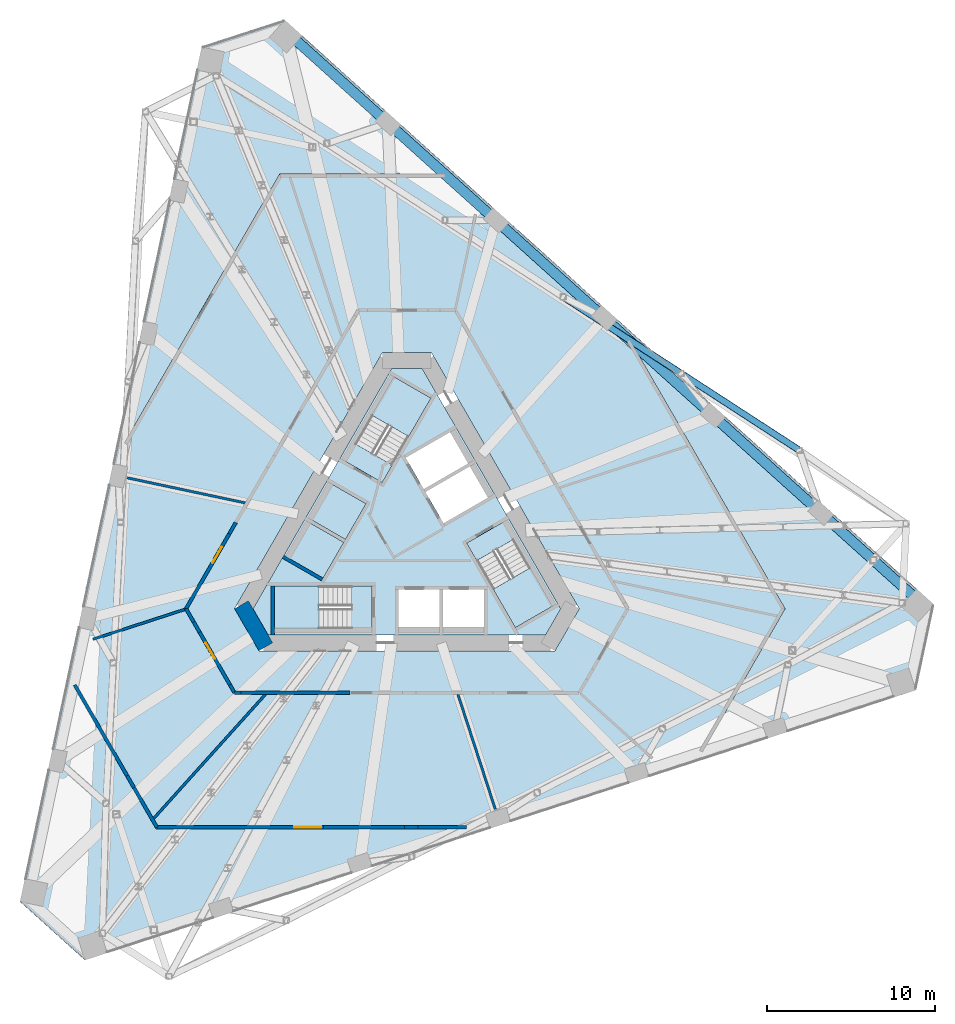
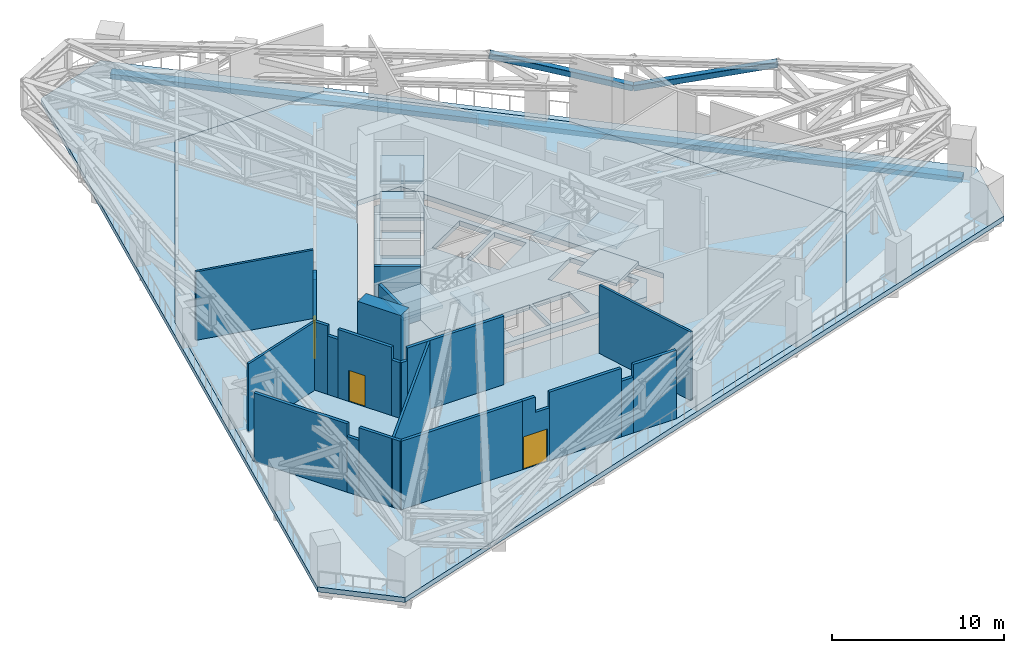
# One storey, part 14 of 24: 23 walls, 14 slabs, 3 doors, 2 members, 1 beam, 3 openings, 3 elements without a shape of their own.
"""IFC4 building model written with IfcOpenShell, lengths in metres."""

from ifc_helpers import new_model, si_unit, direction, frame, frame_2d, origin, origin_2d, place, context, subcontext, project, spatial, polyline, rectangle, hollow_rectangle, outline, extrude, material, layer, layer_set, material_profile, profile_set, type_object, element, fill, aggregate, save


model = new_model("IFC4")

# Units and contexts
model_context = context("Model", 3, precision=1e-05, world=origin(), true_north=direction((0.0, 1.0)))
body_context = subcontext(model_context, "Body", "Model", "MODEL_VIEW")
ifc_project = project(units=[si_unit("LENGTHUNIT", "METRE"), si_unit("AREAUNIT", "SQUARE_METRE"), si_unit("VOLUMEUNIT", "CUBIC_METRE"), si_unit("PLANEANGLEUNIT", "RADIAN"), si_unit("MASSUNIT", "GRAM", prefix="KILO")], contexts=[model_context])

# Site, building, storey
site_placement = place(None, origin())
site = spatial("IfcSite", under=ifc_project, at=site_placement, CompositionType="ELEMENT")
building_placement = place(site_placement, origin())
building = spatial("IfcBuilding", under=site, at=building_placement, Name="Tramontana Tower", CompositionType="ELEMENT")
storey_placement = place(building_placement, frame((0.0, 0.0, 120.39990234375)))
storey = spatial("IfcBuildingStorey", under=building, at=storey_placement, Name="L27", CompositionType="ELEMENT", Elevation=120.39990234375)

# Members
ifc_material_1 = material(Name="Steel ASTM A500 Grade C", Category="steel")
ifc_material_profile_1 = material_profile(ifc_material_1, hollow_rectangle(XDim=0.406494140625, YDim=0.406494140625, WallThickness=0.0146484375, InnerFilletRadius=0.0146484375, OuterFilletRadius=0.029541015625, at=origin_2d()), Name="HSS16X16X5/8")
ifc_profile_set_1 = profile_set([ifc_material_profile_1], Name="Steel ASTM A500 Grade C")
member_type = type_object("IfcMemberType", Name="Belt truss HSS16X16X5/8 brace", PredefinedType="BRACE", material=ifc_profile_set_1)
for number, where, z_axis, x_axis, name in (
    (1, (23.328125, 5.180419921875, 4.618408203125), (-0.816018137798, 0.529909545983, -0.230890172726), (-0.544625423515, -0.8386794072, 0.0), "Belt truss diagonal S2.2"),
    (2, (16.30712890625, 9.73974609375, 2.6318359375), (-0.816005867799, 0.529929952953, 0.230886700963), (-0.54464593603, -0.838666086333, 0.0), "Belt truss diagonal S2.3"),
):
    element("IfcMember", number, at=place(storey_placement, frame(where, z_axis=z_axis, x_axis=x_axis)), inside=storey, type_object=member_type, Name=name, PredefinedType="BRACE", context=body_context, shape_type="SweptSolid", body=[
        extrude(hollow_rectangle(XDim=0.406494140625, YDim=0.406494140625, WallThickness=0.0146484375, InnerFilletRadius=0.0146484375, OuterFilletRadius=0.029541015625, at=origin_2d()), origin(), (0.0, 0.0, 1.0), 8.60400390625),
    ])

# Beam
ifc_material_2 = material(Name="Concrete 40 MPa", Category="concrete")
ifc_material_profile_2 = material_profile(ifc_material_2, rectangle(XDim=0.60009765625, YDim=0.35009765625, at=origin_2d()), Name="RC EDGE BEAM 600X350 40 MPa")
ifc_profile_set_2 = profile_set([ifc_material_profile_2], Name="Concrete 40 MPa")
beam_type = type_object("IfcBeamType", Name="RC EDGE BEAM 600X350 40 MPa", PredefinedType="SPANDREL", material=ifc_profile_set_2)
beam_placement = place(storey_placement, frame((30.530517578125, -3.873779296875, -0.52490234375), z_axis=(-0.743146468863, 0.66912878119, 0.0), x_axis=(-0.66912878119, -0.743146468863, 0.0)))
element("IfcBeam", 3, at=beam_placement, inside=storey, type_object=beam_type, Name="Spandrel beam S2 L27", PredefinedType="SPANDREL", context=body_context, shape_type="SweptSolid", body=[
    extrude(rectangle(XDim=0.60009765625, YDim=0.35009765625, at=origin_2d()), origin(), (0.0, 0.0, 1.0), 50.561279296875),
])

# Slabs
ifc_material_3 = material(Name="Concrete 70 MPa", Category="concrete")
ifc_layer_1 = layer(ifc_material_3, 0.35009765625)
ifc_layer_set_1 = layer_set([ifc_layer_1], Name="LIFT PIT FLOOR 350")
slab_type_1 = type_object("IfcSlabType", Name="LIFT PIT FLOOR 350", PredefinedType="USERDEFINED", material=ifc_layer_set_1)
slab_1_placement = place(storey_placement, frame((0.0, 0.0, 3.25)))
element("IfcSlab", 4, at=slab_1_placement, inside=storey, type_object=slab_type_1, Name="Lift pit floor P1", ObjectType="LIFT PIT FLOOR", PredefinedType="USERDEFINED", context=body_context, shape_type="SweptSolid", body=[
    extrude(outline(polyline([(-2.4296875, 1.99169921875), (-4.46484375, 3.166748046875), (-5.68994140625, 1.044921875), (-3.65478515625, -0.130126953125), (-2.4296875, 1.99169921875)])), origin(), (0.0, 0.0, 1.0), 0.35009765625),
])
slab_2_placement = place(storey_placement, frame((0.0, 0.0, 3.25)))
element("IfcSlab", 5, at=slab_2_placement, inside=storey, type_object=slab_type_1, Name="Lift pit floor P2", ObjectType="LIFT PIT FLOOR", PredefinedType="USERDEFINED", context=body_context, shape_type="SweptSolid", body=[
    extrude(outline(polyline([(-3.754638671875, -0.30322265625), (-5.789794921875, 0.871826171875), (-7.014892578125, -1.25), (-4.979736328125, -2.425048828125), (-3.754638671875, -0.30322265625)])), origin(), (0.0, 0.0, 1.0), 0.35009765625),
])
ifc_material_4 = material(Name="Concrete 40 MPa", Category="concrete")
ifc_layer_2 = layer(ifc_material_4, 0.35009765625)
ifc_layer_set_2 = layer_set([ifc_layer_2], Name="PT FLAT SLAB 350 40 MPa")
slab_type_2 = type_object("IfcSlabType", Name="PT FLAT SLAB 350 40 MPa", PredefinedType="FLOOR", material=ifc_layer_set_2)
slab_3_placement = place(storey_placement, frame((0.0, 0.0, -0.349853515625)))
element("IfcSlab", 6, at=slab_3_placement, inside=storey, type_object=slab_type_2, Name="Floor slab L27", PredefinedType="FLOOR", context=body_context, shape_type="SweptSolid", body=[
    extrude(outline(polyline([(-14.924560546875, -17.35009765625), (-14.924560546875, -17.35009765625), (-14.924560546875, -17.35009765625), (-19.41455078125, -9.572998046875), (-19.84375, -8.82958984375), (-19.84814453125, -8.82080078125), (-19.851806640625, -8.811767578125), (-19.8544921875, -8.802490234375), (-19.856201171875, -8.792724609375), (-19.857177734375, -8.782958984375), (-19.85693359375, -8.773193359375), (-19.855712890625, -8.763427734375), (-16.806884765625, 5.5810546875), (-16.80419921875, 5.59033203125), (-16.800537109375, 5.599609375), (-16.796142578125, 5.6083984375), (-15.833251953125, 7.276123046875), (-7.59228515625, 21.550048828125), (-7.563232421875, 21.60009765625), (-7.563232421875, 21.60009765625), (-7.563232421875, 21.60009765625), (2.275146484375, 21.60009765625), (2.284912109375, 21.599609375), (2.294677734375, 21.59814453125), (2.30419921875, 21.595703125), (2.3134765625, 21.59228515625), (2.322265625, 21.588134765625), (2.330810546875, 21.5830078125), (2.338623046875, 21.577392578125), (13.23681640625, 11.7646484375), (13.243408203125, 11.7578125), (13.24951171875, 11.75), (13.2548828125, 11.74169921875), (14.218017578125, 10.073974609375), (16.8310546875, 5.547607421875), (22.458984375, -4.199951171875), (22.48779296875, -4.25), (22.17578125, -4.790283203125), (17.568603515625, -12.7705078125), (17.563232421875, -12.778564453125), (17.55712890625, -12.786376953125), (17.55029296875, -12.793212890625), (17.542724609375, -12.7998046875), (17.534912109375, -12.805419921875), (17.526123046875, -12.81005859375), (17.51708984375, -12.81396484375), (3.5703125, -17.345703125), (3.560791015625, -17.34814453125), (3.551025390625, -17.349609375), (3.541015625, -17.35009765625), (-4.96044921875, -17.35009765625), (-14.924560546875, -17.35009765625)]), holes=[polyline([(-8.8046875, -6.75), (8.8046875, -6.75), (10.248046875, -4.25), (1.443359375, 11.0), (-1.443359375, 11.0), (-10.248046875, -4.25), (-8.8046875, -6.75)])]), origin(), (0.0, 0.0, 1.0), 0.349853515625),
])
slab_4_placement = place(storey_placement, frame((0.0, 0.0, -0.349853515625)))
element("IfcSlab", 7, at=slab_4_placement, inside=storey, type_object=slab_type_2, Name="Terrace slab L27", PredefinedType="FLOOR", context=body_context, shape_type="SweptSolid", body=[
    extrude(outline(polyline([(-19.14697265625, -25.1474609375), (-23.00830078125, -21.670654296875), (-12.205078125, 29.155517578125), (-7.26318359375, 30.760986328125), (31.351806640625, -4.0078125), (30.271484375, -9.090576171875), (-19.14697265625, -25.1474609375)]), holes=[polyline([(3.541015625, -17.35009765625), (3.551025390625, -17.349609375), (3.560791015625, -17.34814453125), (3.5703125, -17.345703125), (17.51708984375, -12.81396484375), (17.526123046875, -12.81005859375), (17.534912109375, -12.805419921875), (17.542724609375, -12.7998046875), (17.55029296875, -12.793212890625), (17.55712890625, -12.786376953125), (17.563232421875, -12.778564453125), (17.568603515625, -12.7705078125), (22.17578125, -4.790283203125), (22.48779296875, -4.25), (22.458984375, -4.199951171875), (16.8310546875, 5.547607421875), (14.218017578125, 10.073974609375), (13.2548828125, 11.74169921875), (13.24951171875, 11.75), (13.243408203125, 11.7578125), (13.23681640625, 11.7646484375), (2.338623046875, 21.577392578125), (2.330810546875, 21.5830078125), (2.322265625, 21.588134765625), (2.3134765625, 21.59228515625), (2.30419921875, 21.595703125), (2.294677734375, 21.59814453125), (2.284912109375, 21.599609375), (2.275146484375, 21.60009765625), (-7.563232421875, 21.60009765625), (-7.563232421875, 21.60009765625), (-7.563232421875, 21.60009765625), (-7.59228515625, 21.550048828125), (-15.833251953125, 7.276123046875), (-16.796142578125, 5.6083984375), (-16.800537109375, 5.599609375), (-16.80419921875, 5.59033203125), (-16.806884765625, 5.5810546875), (-19.855712890625, -8.763427734375), (-19.85693359375, -8.773193359375), (-19.857177734375, -8.782958984375), (-19.856201171875, -8.792724609375), (-19.8544921875, -8.802490234375), (-19.851806640625, -8.811767578125), (-19.84814453125, -8.82080078125), (-19.84375, -8.82958984375), (-19.41455078125, -9.572998046875), (-14.924560546875, -17.35009765625), (-14.924560546875, -17.35009765625), (-14.924560546875, -17.35009765625), (-4.96044921875, -17.35009765625), (3.541015625, -17.35009765625)])]), origin(), (0.0, 0.0, 1.0), 0.349853515625),
])
slab_5_placement = place(storey_placement, frame((0.0, 0.0, -0.349853515625)))
element("IfcSlab", 8, at=slab_5_placement, inside=storey, type_object=slab_type_2, Name="Core floor slab L27", PredefinedType="FLOOR", context=body_context, shape_type="SweptSolid", body=[
    extrude(outline(polyline([(9.15087890625, -4.25), (8.256103515625, -5.800048828125), (-8.256103515625, -5.800048828125), (-9.15087890625, -4.25), (-0.89501953125, 10.050048828125), (0.89501953125, 10.050048828125), (9.15087890625, -4.25)]), holes=[polyline([(8.659912109375, -4.099365234375), (6.35986328125, -0.115478515625), (4.151611328125, -1.390625), (6.451416015625, -5.374267578125), (8.659912109375, -4.099365234375)]), polyline([(3.829833984375, 4.2666015625), (1.101806640625, 2.69140625), (2.177001953125, 0.82958984375), (4.90478515625, 2.404541015625), (3.829833984375, 4.2666015625)]), polyline([(4.590087890625, -3.10009765625), (2.139892578125, -3.10009765625), (2.139892578125, -5.449951171875), (4.590087890625, -5.449951171875), (4.590087890625, -3.10009765625)]), polyline([(2.65478515625, 6.3017578125), (-0.072998046875, 4.726806640625), (1.001953125, 2.86474609375), (3.729736328125, 4.439697265625), (2.65478515625, 6.3017578125)]), polyline([(1.93994140625, -5.449951171875), (1.93994140625, -3.10009765625), (-0.510009765625, -3.10009765625), (-0.510009765625, -5.449951171875), (1.93994140625, -5.449951171875)]), polyline([(-0.77978515625, 9.54931640625), (-3.079833984375, 5.565673828125), (-0.87158203125, 4.29052734375), (1.428466796875, 8.2744140625), (-0.77978515625, 9.54931640625)]), polyline([(-7.8798828125, -5.449951171875), (-3.280029296875, -5.449951171875), (-3.280029296875, -2.89990234375), (-7.8798828125, -2.89990234375), (-7.8798828125, -5.449951171875)])]), origin(), (0.0, 0.0, 1.0), 0.349853515625),
])

# Stair, slabs
ifc_material_5 = material(Name="Concrete 40 MPa", Category="concrete")
stair_type = type_object("IfcStairType", Name="EXIT STAIR 32 RISERS", PredefinedType="HALF_TURN_STAIR", material=ifc_material_5)
stair_1_placement = place(storey_placement, origin())
stair_1 = element("IfcStair", 9, at=stair_1_placement, inside=storey, type_object=stair_type, Name="L27 Exit stair ST1", PredefinedType="HALF_TURN_STAIR")
ifc_material_6 = material(Name="Concrete 40 MPa", Category="concrete")
ifc_layer_3 = layer(ifc_material_6, 0.199951171875)
ifc_layer_set_3 = layer_set([ifc_layer_3], Name="STAIR LANDING 200")
slab_type_3 = type_object("IfcSlabType", Name="STAIR LANDING 200", PredefinedType="LANDING", material=ifc_layer_set_3)
slab_6_placement = place(storey_placement, frame((0.0, 0.0, 1.10009765625)))
slab_6 = element("IfcSlab", 10, at=slab_6_placement, type_object=slab_type_3, Name="ST1 landing 1", PredefinedType="LANDING", context=body_context, shape_type="SweptSolid", body=[
    extrude(outline(polyline([(0.108642578125, 5.988037109375), (1.428466796875, 8.274169921875), (-0.77978515625, 9.54931640625), (-2.099853515625, 7.262939453125), (0.108642578125, 5.988037109375)])), origin(), (0.0, 0.0, 1.0), 0.199951171875),
])
slab_7_placement = place(storey_placement, frame((0.0, 0.0, 2.400146484375)))
slab_7 = element("IfcSlab", 11, at=slab_7_placement, type_object=slab_type_3, Name="ST1 landing 2", PredefinedType="LANDING", context=body_context, shape_type="SweptSolid", body=[
    extrude(outline(polyline([(-1.471435546875, 3.251220703125), (-0.87158203125, 4.29052734375), (-3.079833984375, 5.565673828125), (-3.679931640625, 4.5263671875), (-1.471435546875, 3.251220703125)])), origin(), (0.0, 0.0, 1.0), 0.199951171875),
])
slab_8_placement = place(storey_placement, frame((0.0, 0.0, 3.7001953125)))
slab_8 = element("IfcSlab", 12, at=slab_8_placement, type_object=slab_type_3, Name="ST1 landing 3", PredefinedType="LANDING", context=body_context, shape_type="SweptSolid", body=[
    extrude(outline(polyline([(0.108642578125, 5.988037109375), (1.428466796875, 8.274169921875), (-0.77978515625, 9.54931640625), (-2.099853515625, 7.262939453125), (0.108642578125, 5.988037109375)])), origin(), (0.0, 0.0, 1.0), 0.199951171875),
])
aggregate(stair_1, [slab_6, slab_7, slab_8])

stair_2_placement = place(storey_placement, origin())
stair_2 = element("IfcStair", 13, at=stair_2_placement, inside=storey, type_object=stair_type, Name="L27 Exit stair ST2", PredefinedType="HALF_TURN_STAIR")
slab_9_placement = place(storey_placement, frame((0.0, 0.0, 1.10009765625)))
slab_9 = element("IfcSlab", 14, at=slab_9_placement, type_object=slab_type_3, Name="ST2 landing 1", PredefinedType="LANDING", context=body_context, shape_type="SweptSolid", body=[
    extrude(outline(polyline([(-5.239990234375, -2.89990234375), (-7.8798828125, -2.89990234375), (-7.8798828125, -5.449951171875), (-5.239990234375, -5.449951171875), (-5.239990234375, -2.89990234375)])), origin(), (0.0, 0.0, 1.0), 0.199951171875),
])
slab_10_placement = place(storey_placement, frame((0.0, 0.0, 2.400146484375)))
slab_10 = element("IfcSlab", 15, at=slab_10_placement, type_object=slab_type_3, Name="ST2 landing 2", PredefinedType="LANDING", context=body_context, shape_type="SweptSolid", body=[
    extrude(outline(polyline([(-2.080078125, -2.89990234375), (-3.280029296875, -2.89990234375), (-3.280029296875, -5.449951171875), (-2.080078125, -5.449951171875), (-2.080078125, -2.89990234375)])), origin(), (0.0, 0.0, 1.0), 0.199951171875),
])
slab_11_placement = place(storey_placement, frame((0.0, 0.0, 3.7001953125)))
slab_11 = element("IfcSlab", 16, at=slab_11_placement, type_object=slab_type_3, Name="ST2 landing 3", PredefinedType="LANDING", context=body_context, shape_type="SweptSolid", body=[
    extrude(outline(polyline([(-5.239990234375, -2.89990234375), (-7.8798828125, -2.89990234375), (-7.8798828125, -5.449951171875), (-5.239990234375, -5.449951171875), (-5.239990234375, -2.89990234375)])), origin(), (0.0, 0.0, 1.0), 0.199951171875),
])
aggregate(stair_2, [slab_9, slab_10, slab_11])

stair_3_placement = place(storey_placement, origin())
stair_3 = element("IfcStair", 17, at=stair_3_placement, inside=storey, type_object=stair_type, Name="L27 Exit stair ST3", PredefinedType="HALF_TURN_STAIR")
slab_12_placement = place(storey_placement, frame((0.0, 0.0, 1.10009765625)))
slab_12 = element("IfcSlab", 18, at=slab_12_placement, type_object=slab_type_3, Name="ST3 landing 1", PredefinedType="LANDING", context=body_context, shape_type="SweptSolid", body=[
    extrude(outline(polyline([(5.131591796875, -3.087890625), (6.451416015625, -5.374267578125), (8.659912109375, -4.099365234375), (7.33984375, -1.81298828125), (5.131591796875, -3.087890625)])), origin(), (0.0, 0.0, 1.0), 0.199951171875),
])
slab_13_placement = place(storey_placement, frame((0.0, 0.0, 2.400146484375)))
slab_13 = element("IfcSlab", 19, at=slab_13_placement, type_object=slab_type_3, Name="ST3 landing 2", PredefinedType="LANDING", context=body_context, shape_type="SweptSolid", body=[
    extrude(outline(polyline([(3.551513671875, -0.351318359375), (4.1513671875, -1.390625), (6.35986328125, -0.115478515625), (5.759765625, 0.923583984375), (3.551513671875, -0.351318359375)])), origin(), (0.0, 0.0, 1.0), 0.199951171875),
])
slab_14_placement = place(storey_placement, frame((0.0, 0.0, 3.7001953125)))
slab_14 = element("IfcSlab", 20, at=slab_14_placement, type_object=slab_type_3, Name="ST3 landing 3", PredefinedType="LANDING", context=body_context, shape_type="SweptSolid", body=[
    extrude(outline(polyline([(5.131591796875, -3.087890625), (6.451416015625, -5.374267578125), (8.659912109375, -4.099365234375), (7.33984375, -1.81298828125), (5.131591796875, -3.087890625)])), origin(), (0.0, 0.0, 1.0), 0.199951171875),
])
aggregate(stair_3, [slab_12, slab_13, slab_14])

# Walls
ifc_material_7 = material(Name="Concrete 70 MPa", Category="concrete")
ifc_layer_4 = layer(ifc_material_7, 0.949951171875)
ifc_layer_set_4 = layer_set([ifc_layer_4], Name="Core wall 950 70 MPa")
wall_type_1 = type_object("IfcWallType", Name="Core wall 950 70 MPa", PredefinedType="SHEAR", material=ifc_layer_set_4)
wall_1_placement = place(storey_placement, frame((-9.836669921875, -4.012451171875, 0.0), z_axis=(0.0, 0.0, 1.0), x_axis=(0.499995765644, -0.866027848477, 0.0)))
element("IfcWall", 21, at=wall_1_placement, inside=storey, type_object=wall_type_1, Name="Core wall C2 L27", PredefinedType="SHEAR", context=body_context, shape_type="SweptSolid", body=[
    extrude(rectangle(XDim=2.88671875, YDim=0.949951171875, at=frame_2d((1.443359375, 0.0))), origin(), (0.0, 0.0, 1.0), 5.2001953125),
])
ifc_material_8 = material(Name="Blockwork", Category="masonry")
ifc_layer_5 = layer(ifc_material_8, 0.199951171875)
ifc_layer_set_5 = layer_set([ifc_layer_5], Name="ENCLOSURE WALL 200")
wall_type_2 = type_object("IfcWallType", Name="ENCLOSURE WALL 200", PredefinedType="SOLIDWALL", material=ifc_layer_set_5)
wall_2_placement = place(storey_placement, frame((3.541259765625, -17.25, 0.0), z_axis=(0.0, 0.0, 1.0), x_axis=(-1.0, 0.0, 0.0)))
element("IfcWall", 22, at=wall_2_placement, inside=storey, type_object=wall_type_2, Name="Wall enc2-0", PredefinedType="SOLIDWALL", context=body_context, shape_type="SweptSolid", body=[
    extrude(rectangle(XDim=2.8857421875, YDim=0.199951171875, at=frame_2d((1.44287109375, 0.0))), origin(), (0.0, 0.0, 1.0), 4.85009765625),
])
wall_3_placement = place(storey_placement, frame((0.655517578125, -17.25, 0.0), z_axis=(0.0, 0.0, 1.0), x_axis=(-1.0, 0.0, 0.0)))
element("IfcWall", 23, at=wall_3_placement, inside=storey, type_object=wall_type_2, Name="Wall enc2-1", PredefinedType="SOLIDWALL", context=body_context, shape_type="SweptSolid", body=[
    extrude(rectangle(XDim=0.800048828125, YDim=0.199951171875, at=frame_2d((0.39990234375, 0.0))), origin(), (0.0, 0.0, 1.0), 3.9501953125),
])
wall_4_placement = place(storey_placement, frame((-0.14453125, -17.25, 0.0), z_axis=(0.0, 0.0, 1.0), x_axis=(-1.0, 0.0, 0.0)))
element("IfcWall", 24, at=wall_4_placement, inside=storey, type_object=wall_type_2, Name="Wall enc2-2", PredefinedType="SOLIDWALL", context=body_context, shape_type="SweptSolid", body=[
    extrude(rectangle(XDim=4.81591796875, YDim=0.199951171875, at=frame_2d((2.407958984375, 0.0))), origin(), (0.0, 0.0, 1.0), 4.85009765625),
])

# Wall, opening, door
wall_5_placement = place(storey_placement, frame((-4.96044921875, -17.25, 0.0), z_axis=(0.0, 0.0, 1.0), x_axis=(-1.0, 0.0, 0.0)))
wall_5 = element("IfcWall", 25, at=wall_5_placement, inside=storey, type_object=wall_type_2, Name="Wall enc2-3", PredefinedType="SOLIDWALL", context=body_context, shape_type="SweptSolid", body=[
    extrude(outline(polyline([(0.0, 0.0), (1.795166015625, 0.0), (1.795166015625, 4.85009765625), (0.943603515625, 4.85009765625), (0.943603515625, 3.75), (0.0, 3.75), (0.0, 0.0)])), frame((0.0, 0.10009765625, 0.0), z_axis=(0.0, -1.0, 0.0), x_axis=(1.0, 0.0, 0.0)), (0.0, 0.0, 1.0), 0.199951171875),
])
opening_1_placement = place(wall_5_placement, frame((0.14501953125, 0.0, 0.0)))
opening_1 = element("IfcOpeningElement", 26, at=opening_1_placement, cuts=wall_5, Name="Opening L27-11", PredefinedType="OPENING", context=body_context, shape_type="SweptSolid", body=[
    extrude(rectangle(XDim=1.60009765625, YDim=2.300048828125, at=frame_2d((0.800048828125, 1.14990234375))), frame((0.0, 0.10986328125, 0.0), z_axis=(0.0, -1.0, 0.0), x_axis=(1.0, 0.0, 0.0)), (0.0, 0.0, 1.0), 0.219970703125),
])
ifc_material_9 = material(Name="Painted timber", Category="wood")
door_type_1 = type_object("IfcDoorType", Name="DOOR WIDE 1600", OperationType="SINGLE_SWING_LEFT", PredefinedType="DOOR", material=ifc_material_9)
door_1_placement = place(opening_1_placement, origin())
door_1 = element("IfcDoor", 27, at=door_1_placement, inside=storey, type_object=door_type_1, Name="Door L27-11", OperationType="DOUBLE_DOOR_SINGLE_SWING", OverallHeight=2.300048828125, OverallWidth=1.60009765625, PredefinedType="DOOR", context=body_context, shape_type="SweptSolid", body=[
    extrude(rectangle(XDim=1.60009765625, YDim=2.300048828125, at=frame_2d((0.800048828125, 1.14990234375))), frame((0.0, 0.02490234375, 0.0), z_axis=(0.0, -1.0, 0.0), x_axis=(1.0, 0.0, 0.0)), (0.0, 0.0, 1.0), 0.050048828125),
])
fill(opening_1, door_1)

# Walls
wall_6_placement = place(storey_placement, frame((-6.755615234375, -17.25, 0.0), z_axis=(0.0, 0.0, 1.0), x_axis=(-1.0, 0.0, 0.0)))
element("IfcWall", 28, at=wall_6_placement, inside=storey, type_object=wall_type_2, Name="Wall enc2-4", PredefinedType="SOLIDWALL", context=body_context, shape_type="SweptSolid", body=[
    extrude(rectangle(XDim=8.111083984375, YDim=0.199951171875, at=frame_2d((4.0556640625, 0.0))), origin(), (0.0, 0.0, 1.0), 4.85009765625),
])
wall_7_placement = place(storey_placement, frame((-14.86669921875, -17.25, 0.0), z_axis=(0.0, 0.0, 1.0), x_axis=(-0.500042275419, 0.866000994684, 0.0)))
element("IfcWall", 29, at=wall_7_placement, inside=storey, type_object=wall_type_2, Name="Wall enc3-0", PredefinedType="SOLIDWALL", context=body_context, shape_type="SweptSolid", body=[
    extrude(rectangle(XDim=2.731201171875, YDim=0.199951171875, at=frame_2d((1.36572265625, 0.0))), origin(), (0.0, 0.0, 1.0), 4.85009765625),
])
wall_8_placement = place(storey_placement, frame((-16.232421875, -14.884765625, 0.0), z_axis=(0.0, 0.0, 1.0), x_axis=(-0.499903734186, 0.866080975745, 0.0)))
element("IfcWall", 30, at=wall_8_placement, inside=storey, type_object=wall_type_2, Name="Wall enc3-1", PredefinedType="SOLIDWALL", context=body_context, shape_type="SweptSolid", body=[
    extrude(rectangle(XDim=0.816162109375, YDim=0.199951171875, at=frame_2d((0.408203125, 0.0))), origin(), (0.0, 0.0, 1.0), 3.9501953125),
])
wall_9_placement = place(storey_placement, frame((-16.640380859375, -14.177978515625, 0.0), z_axis=(0.0, 0.0, 1.0), x_axis=(-0.499989156383, 0.866031664259, 0.0)))
element("IfcWall", 31, at=wall_9_placement, inside=storey, type_object=wall_type_2, Name="Wall enc3-2", PredefinedType="SOLIDWALL", context=body_context, shape_type="SweptSolid", body=[
    extrude(rectangle(XDim=6.233642578125, YDim=0.199951171875, at=frame_2d((3.11669921875, 0.0))), origin(), (0.0, 0.0, 1.0), 4.85009765625),
])
ifc_material_10 = material(Name="Blockwork", Category="masonry")
ifc_layer_6 = layer(ifc_material_10, 0.199951171875)
ifc_layer_set_6 = layer_set([ifc_layer_6], Name="ENTRY WALL 200")
wall_type_3 = type_object("IfcWallType", Name="ENTRY WALL 200", PredefinedType="SOLIDWALL", material=ifc_layer_set_6)
wall_10_placement = place(storey_placement, frame((-3.384765625, -9.25, 0.0), z_axis=(0.0, 0.0, 1.0), x_axis=(-1.0, 0.0, 0.0)))
element("IfcWall", 32, at=wall_10_placement, inside=storey, type_object=wall_type_3, Name="Wall ew2-6", PredefinedType="SOLIDWALL", context=body_context, shape_type="SweptSolid", body=[
    extrude(rectangle(XDim=6.473876953125, YDim=0.199951171875, at=frame_2d((3.23681640625, 0.0))), origin(), (0.0, 0.0, 1.0), 4.85009765625),
])
wall_11_placement = place(storey_placement, frame((-9.858642578125, -9.25, 0.0), z_axis=(0.0, 0.0, 1.0), x_axis=(-1.0, 0.0, 0.0)))
element("IfcWall", 33, at=wall_11_placement, inside=storey, type_object=wall_type_3, Name="Wall ew2-7", PredefinedType="SOLIDWALL", context=body_context, shape_type="SweptSolid", body=[
    extrude(rectangle(XDim=0.389404296875, YDim=0.199951171875, at=frame_2d((0.19482421875, 0.0))), origin(), (0.0, 0.0, 1.0), 3.9501953125),
])
wall_12_placement = place(storey_placement, frame((-10.248046875, -9.25, 0.0), z_axis=(0.0, 0.0, 1.0), x_axis=(-0.499887958344, 0.866090081402, 0.0)))
element("IfcWall", 34, at=wall_12_placement, inside=storey, type_object=wall_type_3, Name="Wall ew3-0", PredefinedType="SOLIDWALL", context=body_context, shape_type="SweptSolid", body=[
    extrude(rectangle(XDim=0.553466796875, YDim=0.199951171875, at=frame_2d((0.27685546875, 0.0))), origin(), (0.0, 0.0, 1.0), 3.9501953125),
])

# Wall, opening, door
wall_13_placement = place(storey_placement, frame((-10.524658203125, -8.770751953125, 0.0), z_axis=(0.0, 0.0, 1.0), x_axis=(-0.500031425827, 0.866007259314, 0.0)))
wall_13 = element("IfcWall", 35, at=wall_13_placement, inside=storey, type_object=wall_type_3, Name="Wall ew3-1", PredefinedType="SOLIDWALL", context=body_context, shape_type="SweptSolid", body=[
    extrude(rectangle(XDim=3.602294921875, YDim=0.199951171875, at=frame_2d((1.80126953125, 0.0))), origin(), (0.0, 0.0, 1.0), 4.85009765625),
])
opening_2_placement = place(wall_13_placement, frame((1.783447265625, 0.0, 0.0)))
opening_2 = element("IfcOpeningElement", 36, at=opening_2_placement, cuts=wall_13, Name="Opening L27-06", PredefinedType="OPENING", context=body_context, shape_type="SweptSolid", body=[
    extrude(rectangle(XDim=1.10009765625, YDim=2.199951171875, at=frame_2d((0.550048828125, 1.10009765625))), frame((0.0, 0.10986328125, 0.0), z_axis=(0.0, -1.0, 0.0), x_axis=(1.0, 0.0, 0.0)), (0.0, 0.0, 1.0), 0.219970703125),
])
ifc_material_11 = material(Name="Painted steel", Category="steel")
door_type_2 = type_object("IfcDoorType", Name="PLANT DOOR 1100", OperationType="SINGLE_SWING_LEFT", PredefinedType="DOOR", material=ifc_material_11)
door_2_placement = place(opening_2_placement, origin())
door_2 = element("IfcDoor", 37, at=door_2_placement, inside=storey, type_object=door_type_2, Name="Door L27-06", OperationType="SINGLE_SWING_RIGHT", OverallHeight=2.199951171875, OverallWidth=1.10009765625, PredefinedType="DOOR", context=body_context, shape_type="SweptSolid", body=[
    extrude(rectangle(XDim=1.10009765625, YDim=2.199951171875, at=frame_2d((0.550048828125, 1.10009765625))), frame((0.0, 0.02490234375, 0.0), z_axis=(0.0, -1.0, 0.0), x_axis=(1.0, 0.0, 0.0)), (0.0, 0.0, 1.0), 0.050048828125),
])
fill(opening_2, door_2)

# Walls
wall_14_placement = place(storey_placement, frame((-12.325927734375, -5.651123046875, 0.0), z_axis=(0.0, 0.0, 1.0), x_axis=(-0.499752435038, 0.86616828831, 0.0)))
element("IfcWall", 38, at=wall_14_placement, inside=storey, type_object=wall_type_3, Name="Wall ew3-2", PredefinedType="SOLIDWALL", context=body_context, shape_type="SweptSolid", body=[
    extrude(rectangle(XDim=0.704833984375, YDim=0.199951171875, at=frame_2d((0.3525390625, 0.0))), origin(), (0.0, 0.0, 1.0), 4.150146484375),
])
wall_15_placement = place(storey_placement, frame((-12.67822265625, -5.04052734375, 0.0), z_axis=(0.0, 0.0, 1.0), x_axis=(-0.500108273885, 0.865962882802, 0.0)))
element("IfcWall", 39, at=wall_15_placement, inside=storey, type_object=wall_type_3, Name="Wall ew3-3", PredefinedType="SOLIDWALL", context=body_context, shape_type="SweptSolid", body=[
    extrude(rectangle(XDim=0.912841796875, YDim=0.199951171875, at=frame_2d((0.45654296875, 0.0))), origin(), (0.0, 0.0, 1.0), 4.85009765625),
])

# Wall, opening, door
wall_16_placement = place(storey_placement, frame((-13.134765625, -4.25, 0.0), z_axis=(0.0, 0.0, 1.0), x_axis=(0.50000466804, 0.866022708674, 0.0)))
wall_16 = element("IfcWall", 40, at=wall_16_placement, inside=storey, type_object=wall_type_3, Name="Wall ew4-0", PredefinedType="SOLIDWALL", context=body_context, shape_type="SweptSolid", body=[
    extrude(rectangle(XDim=5.14208984375, YDim=0.199951171875, at=frame_2d((2.571044921875, 0.0))), origin(), (0.0, 0.0, 1.0), 4.85009765625),
])
opening_3_placement = place(wall_16_placement, frame((3.1357421875, 0.0, 0.0)))
opening_3 = element("IfcOpeningElement", 41, at=opening_3_placement, cuts=wall_16, Name="Opening L27-05", PredefinedType="OPENING", context=body_context, shape_type="SweptSolid", body=[
    extrude(rectangle(XDim=1.10009765625, YDim=2.199951171875, at=frame_2d((0.550048828125, 1.10009765625))), frame((0.0, 0.10986328125, 0.0), z_axis=(0.0, -1.0, 0.0), x_axis=(1.0, 0.0, 0.0)), (0.0, 0.0, 1.0), 0.219970703125),
])
door_3_placement = place(opening_3_placement, origin())
door_3 = element("IfcDoor", 42, at=door_3_placement, inside=storey, type_object=door_type_2, Name="Door L27-05", OperationType="SINGLE_SWING_LEFT", OverallHeight=2.199951171875, OverallWidth=1.10009765625, PredefinedType="DOOR", context=body_context, shape_type="SweptSolid", body=[
    extrude(rectangle(XDim=1.10009765625, YDim=2.199951171875, at=frame_2d((0.550048828125, 1.10009765625))), frame((0.0, 0.02490234375, 0.0), z_axis=(0.0, -1.0, 0.0), x_axis=(1.0, 0.0, 0.0)), (0.0, 0.0, 1.0), 0.050048828125),
])
fill(opening_3, door_3)

# Walls
wall_17_placement = place(storey_placement, frame((-10.563720703125, 0.203125, 0.0), z_axis=(0.0, 0.0, 1.0), x_axis=(0.499982474044, 0.866035522163, 0.0)))
element("IfcWall", 43, at=wall_17_placement, inside=storey, type_object=wall_type_3, Name="Wall ew4-1", PredefinedType="SOLIDWALL", context=body_context, shape_type="SweptSolid", body=[
    extrude(rectangle(XDim=0.78564453125, YDim=0.199951171875, at=frame_2d((0.392822265625, 0.0))), origin(), (0.0, 0.0, 1.0), 4.150146484375),
])
ifc_material_12 = material(Name="Gypsum board partition")
ifc_layer_7 = layer(ifc_material_12, 0.14990234375)
ifc_layer_set_7 = layer_set([ifc_layer_7], Name="PARTITION 150")
wall_type_4 = type_object("IfcWallType", Name="PARTITION 150", PredefinedType="PARTITIONING", material=ifc_layer_set_7)
wall_18_placement = place(storey_placement, frame((-13.223388671875, -4.296630859375, 0.0), z_axis=(0.0, 0.0, 1.0), x_axis=(-0.951064770515, -0.308991589345, 0.0)))
element("IfcWall", 44, at=wall_18_placement, inside=storey, type_object=wall_type_4, Name="Wall fw-pw00", PredefinedType="PARTITIONING", context=body_context, shape_type="SweptSolid", body=[
    extrude(rectangle(XDim=5.72607421875, YDim=0.14990234375, at=frame_2d((2.863037109375, 0.0))), origin(), (0.0, 0.0, 1.0), 4.85009765625),
])
wall_19_placement = place(storey_placement, frame((-9.616455078125, 2.0439453125, 0.0), z_axis=(0.0, 0.0, 1.0), x_axis=(-0.978146471821, 0.207917001862, 0.0)))
element("IfcWall", 45, at=wall_19_placement, inside=storey, type_object=wall_type_4, Name="Wall fw-pw01", PredefinedType="PARTITIONING", context=body_context, shape_type="SweptSolid", body=[
    extrude(rectangle(XDim=7.168701171875, YDim=0.14990234375, at=frame_2d((3.58447265625, 0.0))), origin(), (0.0, 0.0, 1.0), 4.85009765625),
])
wall_20_placement = place(storey_placement, frame((-8.418701171875, -9.35009765625, 0.0), z_axis=(0.0, 0.0, 1.0), x_axis=(-0.669143140435, -0.743133539553, 0.0)))
element("IfcWall", 46, at=wall_20_placement, inside=storey, type_object=wall_type_4, Name="Wall fw-pw02", PredefinedType="PARTITIONING", context=body_context, shape_type="SweptSolid", body=[
    extrude(rectangle(XDim=10.1298828125, YDim=0.14990234375, at=frame_2d((5.06494140625, 0.0))), origin(), (0.0, 0.0, 1.0), 4.85009765625),
])
wall_21_placement = place(storey_placement, frame((3.0380859375, -9.35009765625, 0.0), z_axis=(0.0, 0.0, 1.0), x_axis=(0.308995202085, -0.951063596763, 0.0)))
element("IfcWall", 47, at=wall_21_placement, inside=storey, type_object=wall_type_4, Name="Wall fw-pw05", PredefinedType="PARTITIONING", context=body_context, shape_type="SweptSolid", body=[
    extrude(rectangle(XDim=7.168701171875, YDim=0.14990234375, at=frame_2d((3.58447265625, 0.0))), origin(), (0.0, 0.0, 1.0), 4.85009765625),
])
ifc_material_13 = material(Name="Concrete 70 MPa", Category="concrete")
ifc_layer_8 = layer(ifc_material_13, 0.199951171875)
ifc_layer_set_8 = layer_set([ifc_layer_8], Name="Concrete 70 MPa, 200 mm")
wall_type_5 = type_object("IfcWallType", Name="RC STAIR AND SHAFT WALL 200", PredefinedType="SOLIDWALL", material=ifc_layer_set_8)
wall_22_placement = place(storey_placement, frame((-7.97998046875, -2.89990234375, 0.0), z_axis=(0.0, 0.0, 1.0), x_axis=(0.0, -1.0, 0.0)))
element("IfcWall", 48, at=wall_22_placement, inside=storey, type_object=wall_type_5, Name="Wall st2-far", PredefinedType="SOLIDWALL", context=body_context, shape_type="SweptSolid", body=[
    extrude(rectangle(XDim=2.900146484375, YDim=0.199951171875, at=frame_2d((1.4501953125, 0.0))), origin(), (0.0, 0.0, 1.0), 4.85009765625),
])
wall_23_placement = place(storey_placement, frame((-5.02978515625, -2.51171875, 0.0), z_axis=(0.0, 0.0, 1.0), x_axis=(-0.86599734893, 0.500048589285, 0.0)))
element("IfcWall", 49, at=wall_23_placement, inside=storey, type_object=wall_type_5, Name="Wall row0-side2", PredefinedType="SOLIDWALL", context=body_context, shape_type="SweptSolid", body=[
    extrude(rectangle(XDim=2.699951171875, YDim=0.199951171875, at=frame_2d((1.35009765625, 0.0))), origin(), (0.0, 0.0, 1.0), 4.85009765625),
])

save(model, "model.ifc")
